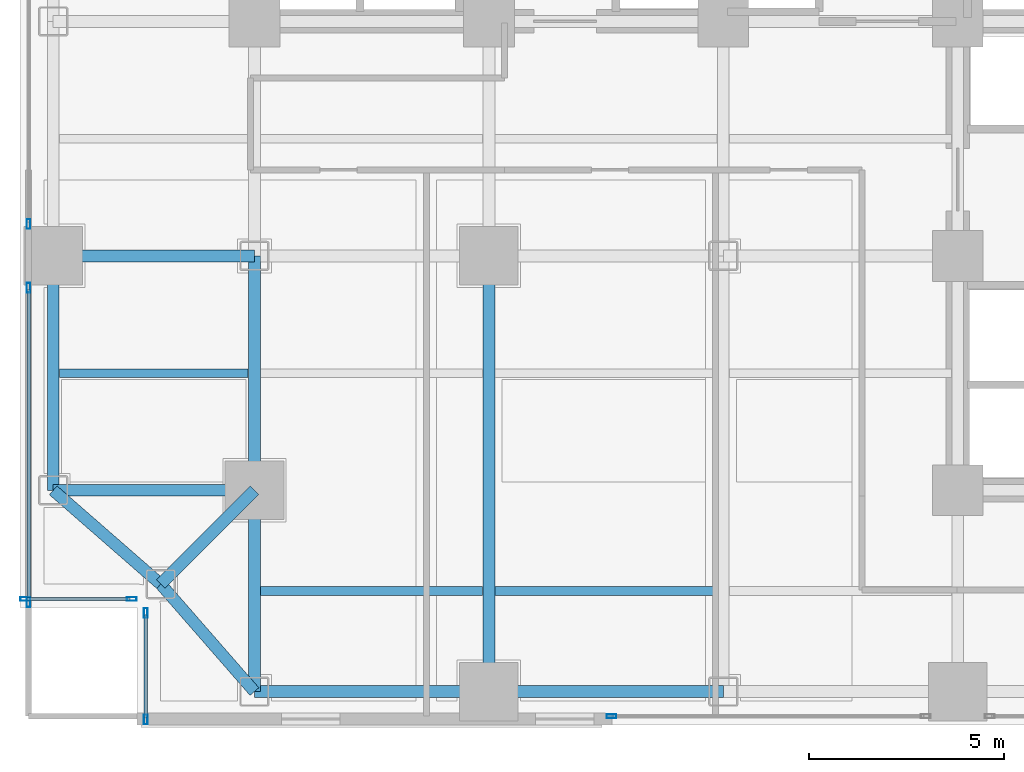
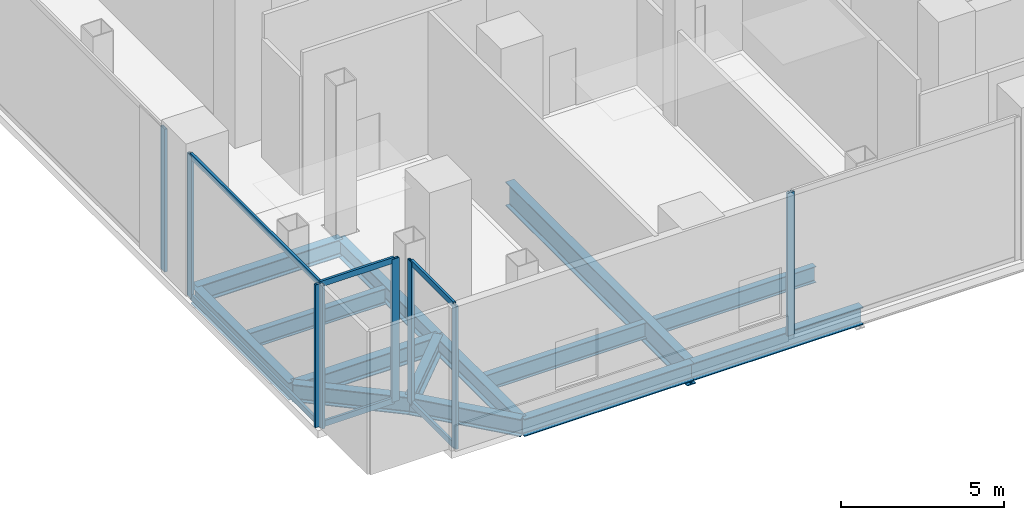
# One storey, part 3 of 27: 14 beams, 14 members, 5 elements without a shape of their own.
"""IFC4 building model written with IfcOpenShell, lengths in metres."""

from ifc_helpers import new_model, si_unit, direction, frame, origin, origin_2d, place, context, subcontext, project, spatial, hollow_rectangle, i_section, extrude, material, layer, layer_set, material_profile, profile_set, type_object, element, aggregate, save


model = new_model("IFC4")

# Units and contexts
model_context = context("Model", 3, precision=1e-05, world=origin(), true_north=direction((0.0, 1.0)))
body_context = subcontext(model_context, "Body", "Model", "MODEL_VIEW")
ifc_project = project(units=[si_unit("LENGTHUNIT", "METRE"), si_unit("AREAUNIT", "SQUARE_METRE"), si_unit("VOLUMEUNIT", "CUBIC_METRE"), si_unit("PLANEANGLEUNIT", "RADIAN"), si_unit("MASSUNIT", "GRAM", prefix="KILO"), si_unit("THERMODYNAMICTEMPERATUREUNIT", "KELVIN"), si_unit("POWERUNIT", "WATT")], contexts=[model_context])

# Site, building, storey
site_placement = place(None, origin())
site = spatial("IfcSite", under=ifc_project, at=site_placement, CompositionType="ELEMENT")
building_placement = place(site_placement, origin())
building = spatial("IfcBuilding", under=site, at=building_placement, Name="Svarakhadi Broadcast Tower", CompositionType="ELEMENT")
storey_placement = place(building_placement, frame((0.0, 0.0, 21.89990234375)))
storey = spatial("IfcBuildingStorey", under=building, at=storey_placement, Name="L04", CompositionType="ELEMENT", Elevation=21.89990234375)

# Beams
ifc_material_1 = material(Name="Steel S355J2 (IS 2062 E350C)", Category="steel")
ifc_material_profile_1 = material_profile(ifc_material_1, i_section(OverallWidth=0.219970703125, OverallDepth=0.60009765625, WebThickness=0.011962890625, FlangeThickness=0.01904296875, FilletRadius=0.02392578125, at=origin_2d()), Name="NPB 600x220x122")
ifc_profile_set_1 = profile_set([ifc_material_profile_1], Name="Steel S355J2 (IS 2062 E350C)")
beam_type_1 = type_object("IfcBeamType", Name="Beam_NPB600", PredefinedType="BEAM", material=ifc_profile_set_1)
beam_1_placement = place(storey_placement, frame((1.010009765625, 9.0, -0.574951171875), z_axis=(1.0, 0.0, 0.0), x_axis=(0.0, 1.0, 0.0)))
element("IfcBeam", 1, at=beam_1_placement, inside=storey, type_object=beam_type_1, Name="L04 Secondary Composite Beam SB001", PredefinedType="BEAM", context=body_context, shape_type="SweptSolid", body=[
    extrude(i_section(OverallWidth=0.219970703125, OverallDepth=0.60009765625, WebThickness=0.011962890625, FlangeThickness=0.01904296875, FilletRadius=0.02392578125, at=origin_2d()), origin(), (0.0, 0.0, 1.0), 4.830078125),
])
for number, where, z_axis, x_axis, name in (
    (2, (6.159912109375, 3.425048828125, -0.574951171875), (1.0, 0.0, 0.0), (0.0, 1.0, 0.0), "L04 Secondary Composite Beam SB007"),
    (3, (12.159912109375, 3.425048828125, -0.574951171875), (1.0, 0.0, 0.0), (0.0, 1.0, 0.0), "L04 Secondary Composite Beam SB010"),
):
    element("IfcBeam", number, at=place(storey_placement, frame(where, z_axis=z_axis, x_axis=x_axis)), inside=storey, type_object=beam_type_1, Name=name, PredefinedType="BEAM", context=body_context, shape_type="SweptSolid", body=[
        extrude(i_section(OverallWidth=0.219970703125, OverallDepth=0.60009765625, WebThickness=0.011962890625, FlangeThickness=0.01904296875, FilletRadius=0.02392578125, at=origin_2d()), origin(), (0.0, 0.0, 1.0), 5.68017578125),
    ])

# Curtain wall, members
ifc_material_2 = material(Name="Anodised Bronze Aluminium AA 6063-T6", Category="aluminium")
ifc_layer = layer(ifc_material_2, 0.25)
ifc_layer_set = layer_set([ifc_layer], Name="Anodised Bronze Aluminium AA 6063-T6")
curtain_wall_type = type_object("IfcCurtainWallType", Name="CW_Sys_01", PredefinedType="NOTDEFINED", material=ifc_layer_set)
curtain_wall_1_placement = place(storey_placement, origin())
curtain_wall_1 = element("IfcCurtainWall", 4, at=curtain_wall_1_placement, inside=storey, type_object=curtain_wall_type, Name="L04 Unitised Facade Curtain Wall 01", PredefinedType="NOTDEFINED")
ifc_material_profile_2 = material_profile(ifc_material_2, hollow_rectangle(XDim=0.094970703125, YDim=0.25, WallThickness=0.006103515625, at=origin_2d()), Name="ALU MULLION 250x95x6")
ifc_profile_set_2 = profile_set([ifc_material_profile_2], Name="Anodised Bronze Aluminium AA 6063-T6")
member_type_1 = type_object("IfcMemberType", Name="CW_Sys_01_Mul", PredefinedType="MULLION", material=ifc_profile_set_2)
member_1_placement = place(storey_placement, frame((2.862548828125, 3.219970703125, 0.0), z_axis=(0.0, 0.0, 1.0), x_axis=(0.0, -1.0, 0.0)))
member_1 = element("IfcMember", 5, at=member_1_placement, type_object=member_type_1, Name="CW-01 mullion 1", PredefinedType="MULLION", context=body_context, shape_type="SweptSolid", body=[
    extrude(hollow_rectangle(XDim=0.094970703125, YDim=0.25, WallThickness=0.006103515625, at=origin_2d()), origin(), (0.0, 0.0, 1.0), 5.35009765625),
])
member_2_placement = place(storey_placement, frame((0.137451171875, 3.219970703125, 0.0), z_axis=(0.0, 0.0, 1.0), x_axis=(0.0, -1.0, 0.0)))
member_2 = element("IfcMember", 6, at=member_2_placement, type_object=member_type_1, Name="CW-01 mullion 2", PredefinedType="MULLION", context=body_context, shape_type="SweptSolid", body=[
    extrude(hollow_rectangle(XDim=0.094970703125, YDim=0.25, WallThickness=0.006103515625, at=origin_2d()), origin(), (0.0, 0.0, 1.0), 5.35009765625),
])

curtain_wall_2_placement = place(storey_placement, origin())
curtain_wall_2 = element("IfcCurtainWall", 7, at=curtain_wall_2_placement, inside=storey, type_object=curtain_wall_type, Name="L04 Unitised Facade Curtain Wall 02 Bay 1", PredefinedType="NOTDEFINED")
member_3_placement = place(storey_placement, frame((0.219970703125, 3.137451171875, 0.0), z_axis=(0.0, 0.0, 1.0), x_axis=(-1.0, 0.0, 0.0)))
member_3 = element("IfcMember", 8, at=member_3_placement, type_object=member_type_1, Name="CW-01 mullion 1", PredefinedType="MULLION", context=body_context, shape_type="SweptSolid", body=[
    extrude(hollow_rectangle(XDim=0.094970703125, YDim=0.25, WallThickness=0.006103515625, at=origin_2d()), origin(), (0.0, 0.0, 1.0), 5.35009765625),
])
member_4_placement = place(storey_placement, frame((0.219970703125, 11.1826171875, 0.0), z_axis=(0.0, 0.0, 1.0), x_axis=(-1.0, 0.0, 0.0)))
member_4 = element("IfcMember", 9, at=member_4_placement, type_object=member_type_1, Name="CW-01 mullion 2", PredefinedType="MULLION", context=body_context, shape_type="SweptSolid", body=[
    extrude(hollow_rectangle(XDim=0.094970703125, YDim=0.25, WallThickness=0.006103515625, at=origin_2d()), origin(), (0.0, 0.0, 1.0), 5.35009765625),
])

# Curtain wall, member
curtain_wall_3_placement = place(storey_placement, origin())
curtain_wall_3 = element("IfcCurtainWall", 10, at=curtain_wall_3_placement, inside=storey, type_object=curtain_wall_type, Name="L04 Unitised Facade Curtain Wall 02 Bay 2", PredefinedType="NOTDEFINED")
member_5_placement = place(storey_placement, frame((0.219970703125, 12.8173828125, 0.0), z_axis=(0.0, 0.0, 1.0), x_axis=(-1.0, 0.0, 0.0)))
member_5 = element("IfcMember", 11, at=member_5_placement, type_object=member_type_1, Name="CW-01 mullion 1", PredefinedType="MULLION", context=body_context, shape_type="SweptSolid", body=[
    extrude(hollow_rectangle(XDim=0.094970703125, YDim=0.25, WallThickness=0.006103515625, at=origin_2d()), origin(), (0.0, 0.0, 1.0), 5.35009765625),
])
aggregate(curtain_wall_3, [member_5])

curtain_wall_4_placement = place(storey_placement, origin())
curtain_wall_4 = element("IfcCurtainWall", 12, at=curtain_wall_4_placement, inside=storey, type_object=curtain_wall_type, Name="L04 South Curtain Wall 11 Bay 5", PredefinedType="NOTDEFINED")
member_6_placement = place(storey_placement, frame((15.137451171875, 0.219970703125, 0.0), z_axis=(0.0, 0.0, 1.0), x_axis=(0.0, -1.0, 0.0)))
member_6 = element("IfcMember", 13, at=member_6_placement, type_object=member_type_1, Name="CW-01 mullion 2", PredefinedType="MULLION", context=body_context, shape_type="SweptSolid", body=[
    extrude(hollow_rectangle(XDim=0.094970703125, YDim=0.25, WallThickness=0.006103515625, at=origin_2d()), origin(), (0.0, 0.0, 1.0), 5.35009765625),
])
aggregate(curtain_wall_4, [member_6])

# Curtain wall, members
curtain_wall_5_placement = place(storey_placement, origin())
curtain_wall_5 = element("IfcCurtainWall", 14, at=curtain_wall_5_placement, inside=storey, type_object=curtain_wall_type, Name="L04 Unitised Facade Curtain Wall 12", PredefinedType="NOTDEFINED")
member_7_placement = place(storey_placement, frame((3.219970703125, 0.137451171875, 0.0), z_axis=(0.0, 0.0, 1.0), x_axis=(-1.0, 0.0, 0.0)))
member_7 = element("IfcMember", 15, at=member_7_placement, type_object=member_type_1, Name="CW-01 mullion 1", PredefinedType="MULLION", context=body_context, shape_type="SweptSolid", body=[
    extrude(hollow_rectangle(XDim=0.094970703125, YDim=0.25, WallThickness=0.006103515625, at=origin_2d()), origin(), (0.0, 0.0, 1.0), 5.35009765625),
])
member_8_placement = place(storey_placement, frame((3.219970703125, 2.862548828125, 0.0), z_axis=(0.0, 0.0, 1.0), x_axis=(-1.0, 0.0, 0.0)))
member_8 = element("IfcMember", 16, at=member_8_placement, type_object=member_type_1, Name="CW-01 mullion 2", PredefinedType="MULLION", context=body_context, shape_type="SweptSolid", body=[
    extrude(hollow_rectangle(XDim=0.094970703125, YDim=0.25, WallThickness=0.006103515625, at=origin_2d()), origin(), (0.0, 0.0, 1.0), 5.35009765625),
])

# Member
ifc_material_profile_3 = material_profile(ifc_material_2, hollow_rectangle(XDim=0.0849609375, YDim=0.219970703125, WallThickness=0.0048828125, at=origin_2d()), Name="ALU TRANSOM 220x85x5")
ifc_profile_set_3 = profile_set([ifc_material_profile_3], Name="Anodised Bronze Aluminium AA 6063-T6")
member_type_2 = type_object("IfcMemberType", Name="CW_Sys_01_Trn", PredefinedType="USERDEFINED", material=ifc_profile_set_3)
member_9_placement = place(storey_placement, frame((2.81494140625, 3.219970703125, 0.04248046875), z_axis=(-1.0, 0.0, 0.0), x_axis=(0.0, -1.0, 0.0)))
member_9 = element("IfcMember", 17, at=member_9_placement, type_object=member_type_2, Name="CW-01 transom 1.1", ObjectType="TRANSOM", PredefinedType="USERDEFINED", context=body_context, shape_type="SweptSolid", body=[
    extrude(hollow_rectangle(XDim=0.0849609375, YDim=0.219970703125, WallThickness=0.0048828125, at=origin_2d()), origin(), (0.0, 0.0, 1.0), 2.6298828125),
])

member_10_placement = place(storey_placement, frame((2.81494140625, 3.219970703125, 5.3076171875), z_axis=(-1.0, 0.0, 0.0), x_axis=(0.0, -1.0, 0.0)))
member_10 = element("IfcMember", 18, at=member_10_placement, type_object=member_type_2, Name="CW-01 transom 1.2", ObjectType="TRANSOM", PredefinedType="USERDEFINED", context=body_context, shape_type="SweptSolid", body=[
    extrude(hollow_rectangle(XDim=0.0849609375, YDim=0.219970703125, WallThickness=0.0048828125, at=origin_2d()), origin(), (0.0, 0.0, 1.0), 2.6298828125),
])

aggregate(curtain_wall_1, [member_1, member_2, member_9, member_10])

member_11_placement = place(storey_placement, frame((0.219970703125, 3.18505859375, 0.04248046875), z_axis=(0.0, 1.0, 0.0), x_axis=(-1.0, 0.0, 0.0)))
member_11 = element("IfcMember", 19, at=member_11_placement, type_object=member_type_2, Name="CW-01 transom 1.1", ObjectType="TRANSOM", PredefinedType="USERDEFINED", context=body_context, shape_type="SweptSolid", body=[
    extrude(hollow_rectangle(XDim=0.0849609375, YDim=0.219970703125, WallThickness=0.0048828125, at=origin_2d()), origin(), (0.0, 0.0, 1.0), 7.949951171875),
])

member_12_placement = place(storey_placement, frame((0.219970703125, 3.18505859375, 5.3076171875), z_axis=(0.0, 1.0, 0.0), x_axis=(-1.0, 0.0, 0.0)))
member_12 = element("IfcMember", 20, at=member_12_placement, type_object=member_type_2, Name="CW-01 transom 1.2", ObjectType="TRANSOM", PredefinedType="USERDEFINED", context=body_context, shape_type="SweptSolid", body=[
    extrude(hollow_rectangle(XDim=0.0849609375, YDim=0.219970703125, WallThickness=0.0048828125, at=origin_2d()), origin(), (0.0, 0.0, 1.0), 7.949951171875),
])

aggregate(curtain_wall_2, [member_3, member_4, member_11, member_12])

member_13_placement = place(storey_placement, frame((3.219970703125, 0.18505859375, 0.04248046875), z_axis=(0.0, 1.0, 0.0), x_axis=(-1.0, 0.0, 0.0)))
member_13 = element("IfcMember", 21, at=member_13_placement, type_object=member_type_2, Name="CW-01 transom 1.1", ObjectType="TRANSOM", PredefinedType="USERDEFINED", context=body_context, shape_type="SweptSolid", body=[
    extrude(hollow_rectangle(XDim=0.0849609375, YDim=0.219970703125, WallThickness=0.0048828125, at=origin_2d()), origin(), (0.0, 0.0, 1.0), 2.6298828125),
])

member_14_placement = place(storey_placement, frame((3.219970703125, 0.18505859375, 5.3076171875), z_axis=(0.0, 1.0, 0.0), x_axis=(-1.0, 0.0, 0.0)))
member_14 = element("IfcMember", 22, at=member_14_placement, type_object=member_type_2, Name="CW-01 transom 1.2", ObjectType="TRANSOM", PredefinedType="USERDEFINED", context=body_context, shape_type="SweptSolid", body=[
    extrude(hollow_rectangle(XDim=0.0849609375, YDim=0.219970703125, WallThickness=0.0048828125, at=origin_2d()), origin(), (0.0, 0.0, 1.0), 2.6298828125),
])

aggregate(curtain_wall_5, [member_7, member_8, member_13, member_14])

# Beams
ifc_material_profile_4 = material_profile(ifc_material_1, i_section(OverallWidth=0.300048828125, OverallDepth=0.64990234375, WebThickness=0.01611328125, FlangeThickness=0.031005859375, FilletRadius=0.027099609375, at=origin_2d()), Name="WPB 650x300x225")
ifc_profile_set_4 = profile_set([ifc_material_profile_4], Name="Steel S355J2 (IS 2062 E350C)")
beam_type_2 = type_object("IfcBeamType", Name="Girder_WPB650", PredefinedType="USERDEFINED", material=ifc_profile_set_4)
beam_2_placement = place(storey_placement, frame((3.60009765625, 3.60009765625, -0.599853515625), z_axis=(0.707106781187, 0.707106781187, 0.0), x_axis=(-0.707106781187, 0.707106781187, 0.0)))
element("IfcBeam", 23, at=beam_2_placement, inside=storey, type_object=beam_type_2, Name="L04 Corner Tie Girder G001", ObjectType="GIRDER", PredefinedType="USERDEFINED", context=body_context, shape_type="SweptSolid", body=[
    extrude(i_section(OverallWidth=0.300048828125, OverallDepth=0.64990234375, WebThickness=0.01611328125, FlangeThickness=0.031005859375, FilletRadius=0.027099609375, at=origin_2d()), origin(), (0.0, 0.0, 1.0), 3.39404296875),
])
for number, where, z_axis, x_axis, name in (
    (24, (3.60009765625, 3.60009765625, -0.599853515625), (-0.753437912176, 0.657519058655, 0.0), (-0.657519058655, -0.753437912176, 0.0), "L04 Corner Tie Girder G002"),
    (25, (3.60009765625, 3.60009765625, -0.599853515625), (0.657519058655, -0.753437912176, 0.0), (0.753437912176, 0.657519058655, 0.0), "L04 Corner Tie Girder G003"),
):
    element("IfcBeam", number, at=place(storey_placement, frame(where, z_axis=z_axis, x_axis=x_axis)), inside=storey, type_object=beam_type_2, Name=name, ObjectType="GIRDER", PredefinedType="USERDEFINED", context=body_context, shape_type="SweptSolid", body=[
        extrude(i_section(OverallWidth=0.300048828125, OverallDepth=0.64990234375, WebThickness=0.01611328125, FlangeThickness=0.031005859375, FilletRadius=0.027099609375, at=origin_2d()), origin(), (0.0, 0.0, 1.0), 3.64990234375),
    ])
for number, where, z_axis, x_axis, name in (
    (26, (6.0, 0.85009765625, -0.599853515625), (1.0, 0.0, 0.0), (0.0, 1.0, 0.0), "L04 Primary E-W Girder G004"),
    (27, (12.0, 0.85009765625, -0.599853515625), (1.0, 0.0, 0.0), (0.0, 1.0, 0.0), "L04 Primary E-W Girder G005"),
):
    element("IfcBeam", number, at=place(storey_placement, frame(where, z_axis=z_axis, x_axis=x_axis)), inside=storey, type_object=beam_type_2, Name=name, ObjectType="GIRDER", PredefinedType="USERDEFINED", context=body_context, shape_type="SweptSolid", body=[
        extrude(i_section(OverallWidth=0.300048828125, OverallDepth=0.64990234375, WebThickness=0.01611328125, FlangeThickness=0.031005859375, FilletRadius=0.027099609375, at=origin_2d()), origin(), (0.0, 0.0, 1.0), 6.0),
    ])
for number, where, z_axis, x_axis, name in (
    (28, (0.85009765625, 6.0, -0.599853515625), (1.0, 0.0, 0.0), (0.0, 1.0, 0.0), "L04 Primary E-W Girder G012"),
    (29, (0.85009765625, 12.0, -0.599853515625), (1.0, 0.0, 0.0), (0.0, 1.0, 0.0), "L04 Primary E-W Girder G014"),
):
    element("IfcBeam", number, at=place(storey_placement, frame(where, z_axis=z_axis, x_axis=x_axis)), inside=storey, type_object=beam_type_2, Name=name, ObjectType="GIRDER", PredefinedType="USERDEFINED", context=body_context, shape_type="SweptSolid", body=[
        extrude(i_section(OverallWidth=0.300048828125, OverallDepth=0.64990234375, WebThickness=0.01611328125, FlangeThickness=0.031005859375, FilletRadius=0.027099609375, at=origin_2d()), origin(), (0.0, 0.0, 1.0), 5.14990234375),
    ])
beam_3_placement = place(storey_placement, frame((0.85009765625, 6.0, -0.599853515625), z_axis=(0.0, 1.0, 0.0), x_axis=(-1.0, 0.0, 0.0)))
element("IfcBeam", 30, at=beam_3_placement, inside=storey, type_object=beam_type_2, Name="L04 Primary N-S Girder G044", ObjectType="GIRDER", PredefinedType="USERDEFINED", context=body_context, shape_type="SweptSolid", body=[
    extrude(i_section(OverallWidth=0.300048828125, OverallDepth=0.64990234375, WebThickness=0.01611328125, FlangeThickness=0.031005859375, FilletRadius=0.027099609375, at=origin_2d()), origin(), (0.0, 0.0, 1.0), 6.0),
])
beam_4_placement = place(storey_placement, frame((6.0, 0.85009765625, -0.599853515625), z_axis=(0.0, 1.0, 0.0), x_axis=(-1.0, 0.0, 0.0)))
element("IfcBeam", 31, at=beam_4_placement, inside=storey, type_object=beam_type_2, Name="L04 Primary N-S Girder G050", ObjectType="GIRDER", PredefinedType="USERDEFINED", context=body_context, shape_type="SweptSolid", body=[
    extrude(i_section(OverallWidth=0.300048828125, OverallDepth=0.64990234375, WebThickness=0.01611328125, FlangeThickness=0.031005859375, FilletRadius=0.027099609375, at=origin_2d()), origin(), (0.0, 0.0, 1.0), 5.14990234375),
])
beam_5_placement = place(storey_placement, frame((6.0, 6.0, -0.599853515625), z_axis=(0.0, 1.0, 0.0), x_axis=(-1.0, 0.0, 0.0)))
element("IfcBeam", 32, at=beam_5_placement, inside=storey, type_object=beam_type_2, Name="L04 Primary N-S Girder G051", ObjectType="GIRDER", PredefinedType="USERDEFINED", context=body_context, shape_type="SweptSolid", body=[
    extrude(i_section(OverallWidth=0.300048828125, OverallDepth=0.64990234375, WebThickness=0.01611328125, FlangeThickness=0.031005859375, FilletRadius=0.027099609375, at=origin_2d()), origin(), (0.0, 0.0, 1.0), 6.0),
])
ifc_material_3 = material(Name="Steel S460ML (IS 2062 E450BR)", Category="steel")
ifc_material_profile_5 = material_profile(ifc_material_3, i_section(OverallWidth=0.300048828125, OverallDepth=0.89990234375, WebThickness=0.0185546875, FlangeThickness=0.034912109375, FilletRadius=0.030029296875, at=origin_2d()), Name="WPB 900x300x291")
ifc_profile_set_5 = profile_set([ifc_material_profile_5], Name="Steel S460ML (IS 2062 E450BR)")
beam_type_3 = type_object("IfcBeamType", Name="Girder_WPB900", PredefinedType="USERDEFINED", material=ifc_profile_set_5)
beam_6_placement = place(storey_placement, frame((12.0, 0.85009765625, -0.724853515625), z_axis=(0.0, 1.0, 0.0), x_axis=(-1.0, 0.0, 0.0)))
element("IfcBeam", 33, at=beam_6_placement, inside=storey, type_object=beam_type_3, Name="L04 Primary N-S Girder G057", ObjectType="GIRDER", PredefinedType="USERDEFINED", context=body_context, shape_type="SweptSolid", body=[
    extrude(i_section(OverallWidth=0.300048828125, OverallDepth=0.89990234375, WebThickness=0.0185546875, FlangeThickness=0.034912109375, FilletRadius=0.030029296875, at=origin_2d()), origin(), (0.0, 0.0, 1.0), 11.14990234375),
])

save(model, "model.ifc")
